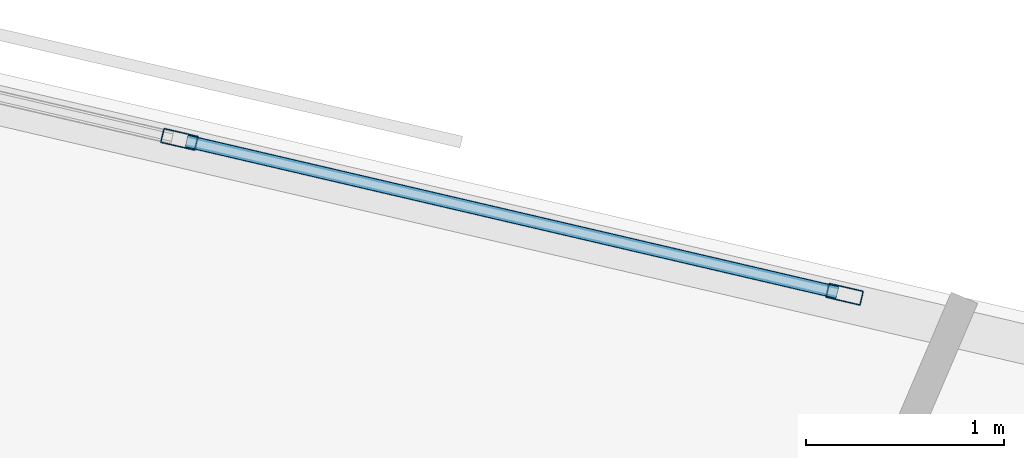
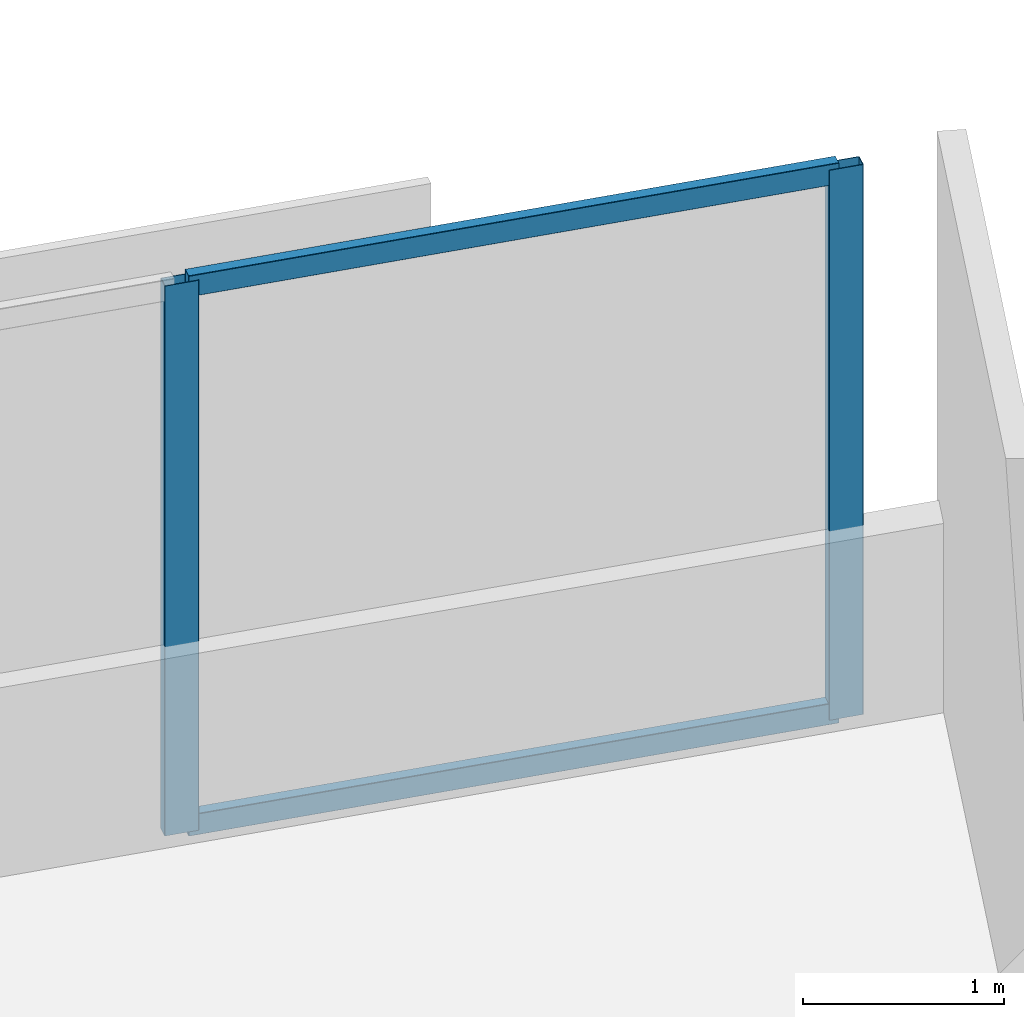
# One storey, part 2 of 13: 4 members, 1 element without a shape of its own.
"""IFC4 building model written with IfcOpenShell, lengths in metres."""

from ifc_helpers import new_model, si_unit, direction, frame, origin, origin_2d, place, context, subcontext, project, spatial, hollow_rectangle, extrude, material, material_profile, profile_set, type_object, element, aggregate, save


model = new_model("IFC4")

# Units and contexts
model_context = context("Model", 3, precision=1e-05, world=origin(), true_north=direction((0.0, 1.0)))
body_context = subcontext(model_context, "Body", "Model", "MODEL_VIEW")
ifc_project = project(units=[si_unit("LENGTHUNIT", "METRE"), si_unit("AREAUNIT", "SQUARE_METRE"), si_unit("VOLUMEUNIT", "CUBIC_METRE"), si_unit("PLANEANGLEUNIT", "RADIAN"), si_unit("MASSUNIT", "GRAM", prefix="KILO")], contexts=[model_context])

# Site, building, storey
site_placement = place(None, origin())
site = spatial("IfcSite", under=ifc_project, at=site_placement, CompositionType="ELEMENT")
building_placement = place(site_placement, origin())
building = spatial("IfcBuilding", under=site, at=building_placement, Name="Narakoshi Arena Tower", CompositionType="ELEMENT")
storey_placement = place(building_placement, frame((0.0, 0.0, 171.89990234375)))
storey = spatial("IfcBuildingStorey", under=building, at=storey_placement, Name="L46", CompositionType="ELEMENT", Elevation=171.89990234375)

# Curtain wall, members
ifc_material = material(Name="Anodised bronze aluminium 6063-T6", Category="aluminium")
curtain_wall_type = type_object("IfcCurtainWallType", Name="CW-HYP-MID", PredefinedType="NOTDEFINED", material=ifc_material)
curtain_wall_placement = place(storey_placement, origin())
curtain_wall = element("IfcCurtainWall", 1, at=curtain_wall_placement, inside=storey, type_object=curtain_wall_type, Name="L46 Folded Hypotenuse Curtain Wall 2-1", PredefinedType="NOTDEFINED")
ifc_material_profile_1 = material_profile(ifc_material, hollow_rectangle(XDim=0.074951171875, YDim=0.179931640625, WallThickness=0.00390625, OuterFilletRadius=0.0048828125, at=origin_2d()), Name="MUL180x75x4")
ifc_profile_set_1 = profile_set([ifc_material_profile_1], Name="Anodised bronze aluminium 6063-T6")
member_type_1 = type_object("IfcMemberType", Name="MEM-MUL-180", PredefinedType="MULLION", material=ifc_profile_set_1)
member_1_placement = place(storey_placement, frame((85.6767578125, 62.869384765625, 0.0), z_axis=(0.0, 0.0, 1.0), x_axis=(-0.226721182724, -0.973959704148, 0.0)))
member_1 = element("IfcMember", 2, at=member_1_placement, type_object=member_type_1, Name="CW-02 mullion 1", PredefinedType="MULLION", context=body_context, shape_type="SweptSolid", body=[
    extrude(hollow_rectangle(XDim=0.074951171875, YDim=0.179931640625, WallThickness=0.00390625, OuterFilletRadius=0.0048828125, at=origin_2d()), origin(), (0.0, 0.0, 1.0), 3.340087890625),
])
member_2_placement = place(storey_placement, frame((82.312255859375, 63.652587890625, 0.0), z_axis=(0.0, 0.0, 1.0), x_axis=(-0.226721182724, -0.973959704148, 0.0)))
member_2 = element("IfcMember", 3, at=member_2_placement, type_object=member_type_1, Name="CW-02 mullion 2", PredefinedType="MULLION", context=body_context, shape_type="SweptSolid", body=[
    extrude(hollow_rectangle(XDim=0.074951171875, YDim=0.179931640625, WallThickness=0.00390625, OuterFilletRadius=0.0048828125, at=origin_2d()), origin(), (0.0, 0.0, 1.0), 3.340087890625),
])
ifc_material_profile_2 = material_profile(ifc_material, hollow_rectangle(XDim=0.06494140625, YDim=0.1298828125, WallThickness=0.00390625, OuterFilletRadius=0.0048828125, at=origin_2d()), Name="TRN130x65x4")
ifc_profile_set_2 = profile_set([ifc_material_profile_2], Name="Anodised bronze aluminium 6063-T6")
member_type_2 = type_object("IfcMemberType", Name="MEM-TRN-130", PredefinedType="USERDEFINED", material=ifc_profile_set_2)
member_3_placement = place(storey_placement, frame((85.64013671875, 62.8779296875, 0.03271484375), z_axis=(-0.973946086847, 0.226779672622, 0.0), x_axis=(-0.226779672622, -0.973946086847, 0.0)))
member_3 = element("IfcMember", 4, at=member_3_placement, type_object=member_type_2, Name="CW-02 transom 1.1", ObjectType="TRANSOM", PredefinedType="USERDEFINED", context=body_context, shape_type="SweptSolid", body=[
    extrude(hollow_rectangle(XDim=0.06494140625, YDim=0.1298828125, WallThickness=0.00390625, OuterFilletRadius=0.0048828125, at=origin_2d()), origin(), (0.0, 0.0, 1.0), 3.37939453125),
])
member_4_placement = place(storey_placement, frame((85.64013671875, 62.8779296875, 3.3076171875), z_axis=(-0.973946086847, 0.226779672622, 0.0), x_axis=(-0.226779672622, -0.973946086847, 0.0)))
member_4 = element("IfcMember", 5, at=member_4_placement, type_object=member_type_2, Name="CW-02 transom 1.2", ObjectType="TRANSOM", PredefinedType="USERDEFINED", context=body_context, shape_type="SweptSolid", body=[
    extrude(hollow_rectangle(XDim=0.06494140625, YDim=0.1298828125, WallThickness=0.00390625, OuterFilletRadius=0.0048828125, at=origin_2d()), origin(), (0.0, 0.0, 1.0), 3.37939453125),
])
aggregate(curtain_wall, [member_1, member_2, member_3, member_4])

save(model, "model.ifc")
